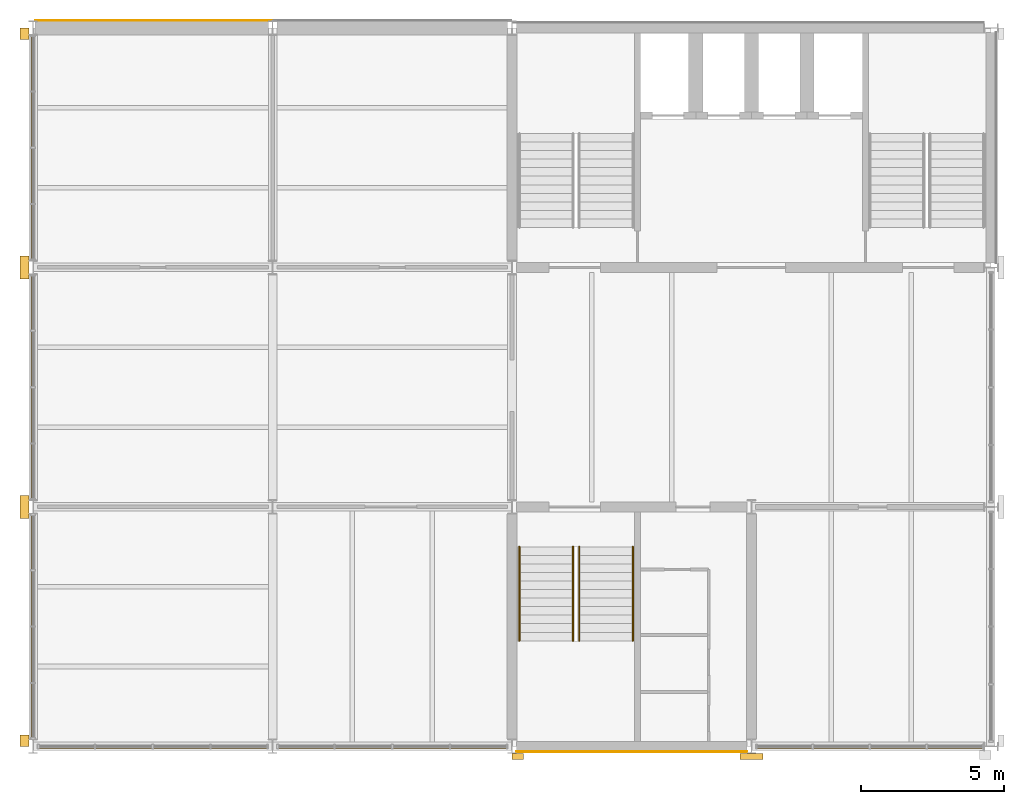
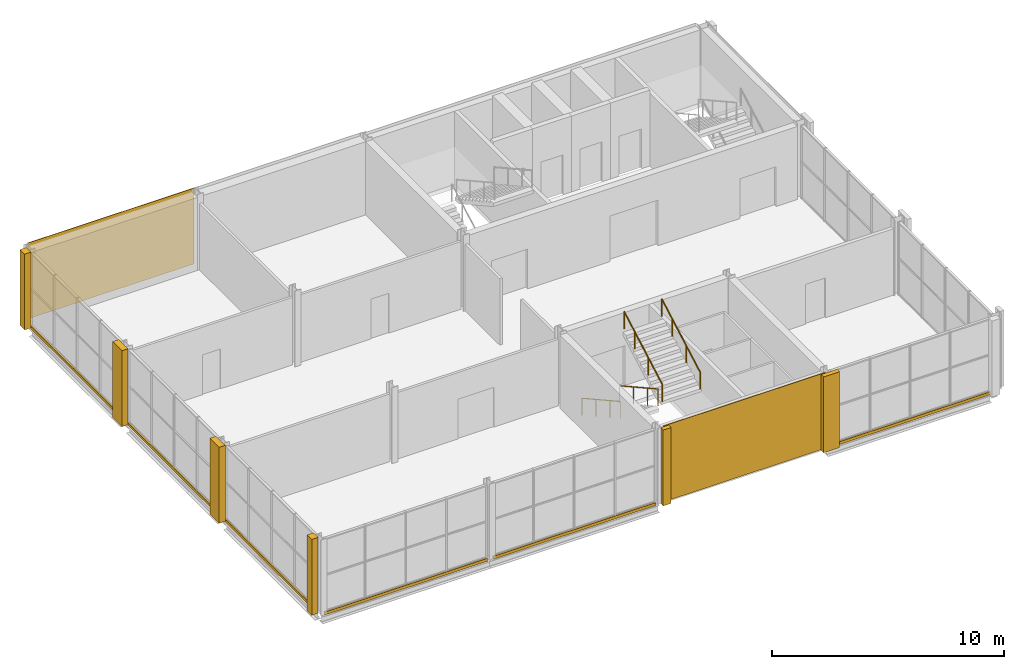
# One storey, part 10 of 12: 14 coverings, 4 railings.
"""IFC4 building model written with IfcOpenShell, lengths in metres."""

from ifc_helpers import new_model, si_unit, direction, frame, origin, origin_2d, place, context, subcontext, project, spatial, rectangle, circle, extrude, material, layer, layer_set, type_object, element, save


model = new_model("IFC4")

# Units and contexts
model_context = context("Model", 3, precision=1e-05, world=origin(), true_north=direction((0.0, 1.0)))
body_context = subcontext(model_context, "Body", "Model", "MODEL_VIEW")
ifc_project = project(units=[si_unit("LENGTHUNIT", "METRE"), si_unit("AREAUNIT", "SQUARE_METRE"), si_unit("VOLUMEUNIT", "CUBIC_METRE"), si_unit("PLANEANGLEUNIT", "RADIAN"), si_unit("MASSUNIT", "GRAM", prefix="KILO")], contexts=[model_context])

# Site, building, storey
site_placement = place(None, origin())
site = spatial("IfcSite", under=ifc_project, at=site_placement, CompositionType="ELEMENT")
building_placement = place(site_placement, origin())
building = spatial("IfcBuilding", under=site, at=building_placement, Name="Galleria Vessillo Department Store", CompositionType="ELEMENT")
storey_placement = place(building_placement, frame((0.0, 0.0, 39.60009765625)))
storey = spatial("IfcBuildingStorey", under=building, at=storey_placement, Name="L08", CompositionType="ELEMENT", Elevation=39.60009765625)

# Coverings
ifc_material_1 = material(Name="Lime plaster (intonaco) ochre")
ifc_layer_1 = layer(ifc_material_1, 0.030029296875)
ifc_layer_set_1 = layer_set([ifc_layer_1], Name="Lime plaster (intonaco) ochre")
covering_type_1 = type_object("IfcCoveringType", Name="Lime plaster render 30 mm", PredefinedType="CLADDING", material=ifc_layer_set_1)
covering_1_placement = place(storey_placement, frame((88.222412109375, 63.264892578125, 0.0), z_axis=(0.0, 0.0, 1.0), x_axis=(1.0, 0.0, 0.0)))
element("IfcCovering", 1, at=covering_1_placement, inside=storey, type_object=covering_type_1, Name="Wall cladding S-TN-L08-01", PredefinedType="CLADDING", context=body_context, shape_type="SweptSolid", body=[
    extrude(rectangle(XDim=8.295166015625, YDim=0.030029296875, at=origin_2d()), origin(), (0.0, 0.0, 1.0), 4.0),
])
ifc_material_2 = material(Name="Botticino limestone ashlar", Category="masonry")
ifc_layer_2 = layer(ifc_material_2, 0.14990234375)
ifc_layer_set_2 = layer_set([ifc_layer_2], Name="Botticino limestone ashlar")
covering_type_2 = type_object("IfcCoveringType", Name="Limestone slab-edge fascia 150 mm", PredefinedType="CLADDING", material=ifc_layer_set_2)
covering_2_placement = place(storey_placement, frame((83.9599609375, 42.0, -0.14990234375), z_axis=(0.0, 0.0, 1.0), x_axis=(1.0, 0.0, 0.0)))
element("IfcCovering", 2, at=covering_2_placement, inside=storey, type_object=covering_type_2, Name="Slab-edge fascia TW-L07-01", PredefinedType="CLADDING", context=body_context, shape_type="SweptSolid", body=[
    extrude(rectangle(XDim=0.080078125, YDim=7.89990234375, at=origin_2d()), origin(), (0.0, 0.0, 1.0), 0.14990234375),
])
covering_3_placement = place(storey_placement, frame((83.9599609375, 50.39990234375, -0.14990234375), z_axis=(0.0, 0.0, 1.0), x_axis=(1.0, 0.0, 0.0)))
element("IfcCovering", 3, at=covering_3_placement, inside=storey, type_object=covering_type_2, Name="Slab-edge fascia TW-L07-02", PredefinedType="CLADDING", context=body_context, shape_type="SweptSolid", body=[
    extrude(rectangle(XDim=0.080078125, YDim=7.900146484375, at=origin_2d()), origin(), (0.0, 0.0, 1.0), 0.14990234375),
])
covering_4_placement = place(storey_placement, frame((83.9599609375, 58.800048828125, -0.14990234375), z_axis=(0.0, 0.0, 1.0), x_axis=(1.0, 0.0, 0.0)))
element("IfcCovering", 4, at=covering_4_placement, inside=storey, type_object=covering_type_2, Name="Slab-edge fascia TW-L07-03", PredefinedType="CLADDING", context=body_context, shape_type="SweptSolid", body=[
    extrude(rectangle(XDim=0.080078125, YDim=7.89990234375, at=origin_2d()), origin(), (0.0, 0.0, 1.0), 0.14990234375),
])
covering_5_placement = place(storey_placement, frame((88.199951171875, 37.760009765625, -0.14990234375), z_axis=(0.0, 0.0, 1.0), x_axis=(1.0, 0.0, 0.0)))
element("IfcCovering", 5, at=covering_5_placement, inside=storey, type_object=covering_type_2, Name="Slab-edge fascia TS-L07-01", PredefinedType="CLADDING", context=body_context, shape_type="SweptSolid", body=[
    extrude(rectangle(XDim=8.099853515625, YDim=0.080078125, at=origin_2d()), origin(), (0.0, 0.0, 1.0), 0.14990234375),
])
covering_6_placement = place(storey_placement, frame((96.60009765625, 37.760009765625, -0.14990234375), z_axis=(0.0, 0.0, 1.0), x_axis=(1.0, 0.0, 0.0)))
element("IfcCovering", 6, at=covering_6_placement, inside=storey, type_object=covering_type_2, Name="Slab-edge fascia TS-L07-02", PredefinedType="CLADDING", context=body_context, shape_type="SweptSolid", body=[
    extrude(rectangle(XDim=8.10009765625, YDim=0.080078125, at=origin_2d()), origin(), (0.0, 0.0, 1.0), 0.14990234375),
])
covering_7_placement = place(storey_placement, frame((113.35009765625, 37.760009765625, -0.14990234375), z_axis=(0.0, 0.0, 1.0), x_axis=(1.0, 0.0, 0.0)))
element("IfcCovering", 7, at=covering_7_placement, inside=storey, type_object=covering_type_2, Name="Slab-edge fascia TS-L07-03", PredefinedType="CLADDING", context=body_context, shape_type="SweptSolid", body=[
    extrude(rectangle(XDim=8.000244140625, YDim=0.080078125, at=origin_2d()), origin(), (0.0, 0.0, 1.0), 0.14990234375),
])
ifc_material_3 = material(Name="Botticino limestone ashlar", Category="masonry")
ifc_layer_3 = layer(ifc_material_3, 0.31005859375)
ifc_layer_set_3 = layer_set([ifc_layer_3], Name="Botticino limestone ashlar")
covering_type_3 = type_object("IfcCoveringType", Name="Limestone tower pilaster strip", PredefinedType="CLADDING", material=ifc_layer_set_3)
covering_8_placement = place(storey_placement, frame((83.695068359375, 38.0, 0.0), z_axis=(0.0, 0.0, 1.0), x_axis=(1.0, 0.0, 0.0)))
element("IfcCovering", 8, at=covering_8_placement, inside=storey, type_object=covering_type_3, Name="Tower pilaster strip W L08 37.8", PredefinedType="CLADDING", context=body_context, shape_type="SweptSolid", body=[
    extrude(rectangle(XDim=0.31005859375, YDim=0.39990234375, at=origin_2d()), origin(), (0.0, 0.0, 1.0), 4.0),
])
for number, where, z_axis, x_axis, name in (
    (9, (83.695068359375, 46.199951171875, 0.0), (0.0, 0.0, 1.0), (1.0, 0.0, 0.0), "Tower pilaster strip W L08 46.2"),
    (10, (83.695068359375, 54.60009765625, 0.0), (0.0, 0.0, 1.0), (1.0, 0.0, 0.0), "Tower pilaster strip W L08 54.6"),
):
    element("IfcCovering", number, at=place(storey_placement, frame(where, z_axis=z_axis, x_axis=x_axis)), inside=storey, type_object=covering_type_3, Name=name, PredefinedType="CLADDING", context=body_context, shape_type="SweptSolid", body=[
        extrude(rectangle(XDim=0.31005859375, YDim=0.800048828125, at=origin_2d()), origin(), (0.0, 0.0, 1.0), 4.0),
    ])
covering_9_placement = place(storey_placement, frame((83.695068359375, 62.800048828125, 0.0), z_axis=(0.0, 0.0, 1.0), x_axis=(1.0, 0.0, 0.0)))
element("IfcCovering", 11, at=covering_9_placement, inside=storey, type_object=covering_type_3, Name="Tower pilaster strip W L08 63.0", PredefinedType="CLADDING", context=body_context, shape_type="SweptSolid", body=[
    extrude(rectangle(XDim=0.31005859375, YDim=0.39990234375, at=origin_2d()), origin(), (0.0, 0.0, 1.0), 4.0),
])
covering_10_placement = place(storey_placement, frame((101.0, 37.445068359375, 0.0), z_axis=(0.0, 0.0, 1.0), x_axis=(1.0, 0.0, 0.0)))
element("IfcCovering", 12, at=covering_10_placement, inside=storey, type_object=covering_type_3, Name="Tower pilaster strip S L08 100.8", PredefinedType="CLADDING", context=body_context, shape_type="SweptSolid", body=[
    extrude(rectangle(XDim=0.39990234375, YDim=0.2099609375, at=origin_2d()), origin(), (0.0, 0.0, 1.0), 4.0),
])
covering_11_placement = place(storey_placement, frame((109.199951171875, 37.445068359375, 0.0), z_axis=(0.0, 0.0, 1.0), x_axis=(1.0, 0.0, 0.0)))
element("IfcCovering", 13, at=covering_11_placement, inside=storey, type_object=covering_type_3, Name="Tower pilaster strip S L08 109.2", PredefinedType="CLADDING", context=body_context, shape_type="SweptSolid", body=[
    extrude(rectangle(XDim=0.800048828125, YDim=0.2099609375, at=origin_2d()), origin(), (0.0, 0.0, 1.0), 4.0),
])
ifc_material_4 = material(Name="Botticino limestone ashlar", Category="masonry")
ifc_layer_4 = layer(ifc_material_4, 0.030029296875)
ifc_layer_set_4 = layer_set([ifc_layer_4], Name="Botticino limestone ashlar")
covering_type_4 = type_object("IfcCoveringType", Name="Limestone wall cladding 30 mm", PredefinedType="CLADDING", material=ifc_layer_set_4)
covering_12_placement = place(storey_placement, frame((105.0, 37.610107421875, 0.0), z_axis=(0.0, 0.0, 1.0), x_axis=(1.0, 0.0, 0.0)))
element("IfcCovering", 14, at=covering_12_placement, inside=storey, type_object=covering_type_4, Name="Wall cladding S-CW-TS-PARTY-L08", PredefinedType="CLADDING", context=body_context, shape_type="SweptSolid", body=[
    extrude(rectangle(XDim=8.099853515625, YDim=0.030029296875, at=origin_2d()), origin(), (0.0, 0.0, 1.0), 4.0),
])

# Railings
ifc_material_5 = material(Name="Stainless steel tube", Category="steel")
railing_type = type_object("IfcRailingType", Name="Stair handrail steel tube 48 mm", PredefinedType="HANDRAIL", material=ifc_material_5)
for number, where, name in (
    (15, (102.93994140625, 44.800048828125, 0.166748046875), "Handrail ST12 L08 flight 1A"),
    (16, (101.06005859375, 44.800048828125, 0.166748046875), "Handrail ST12 L08 flight 1B"),
):
    element("IfcRailing", number, at=place(storey_placement, frame(where)), inside=storey, type_object=railing_type, Name=name, PredefinedType="HANDRAIL", context=body_context, shape_type="SweptSolid", body=[
        extrude(circle(Radius=0.02392578125, at=origin_2d()), frame((0.0, 0.0, 0.89599609375), z_axis=(0.0, -0.874199221805, 0.485567421267), x_axis=(1.0, 0.0, 0.0)), (0.0, 0.0, 1.0), 1.37255859375),
        extrude(circle(Radius=0.02392578125, at=origin_2d()), frame((0.0, -1.199951171875, 1.5625), z_axis=(0.0, -0.874123717778, 0.485703331282), x_axis=(1.0, 0.0, 0.0)), (0.0, 0.0, 1.0), 1.372802734375),
        extrude(circle(Radius=0.02392578125, at=origin_2d()), frame((0.0, -2.39990234375, 2.22900390625), z_axis=(0.0, -0.874190826042, 0.485582536407), x_axis=(1.0, 0.0, 0.0)), (0.0, 0.0, 1.0), 1.02978515625),
        extrude(circle(Radius=0.02099609375, at=origin_2d()), origin(), (0.0, 0.0, 1.0), 0.871826171875),
        extrude(circle(Radius=0.02099609375, at=origin_2d()), frame((0.0, -1.199951171875, 0.66650390625)), (0.0, 0.0, 1.0), 0.871826171875),
        extrude(circle(Radius=0.02099609375, at=origin_2d()), frame((0.0, -2.39990234375, 1.333251953125)), (0.0, 0.0, 1.0), 0.871826171875),
        extrude(circle(Radius=0.02099609375, at=origin_2d()), frame((0.0, -3.300048828125, 1.833251953125)), (0.0, 0.0, 1.0), 0.871826171875),
    ])
for number, where, name in (
    (17, (103.16015625, 41.5, 2.166748046875), "Handrail ST12 L08 flight 2A"),
    (18, (105.0400390625, 41.5, 2.166748046875), "Handrail ST12 L08 flight 2B"),
):
    element("IfcRailing", number, at=place(storey_placement, frame(where)), inside=storey, type_object=railing_type, Name=name, PredefinedType="HANDRAIL", context=body_context, shape_type="SweptSolid", body=[
        extrude(circle(Radius=0.02392578125, at=origin_2d()), frame((0.0, 0.0, 0.89599609375), z_axis=(0.0, 0.874199221805, 0.485567421267), x_axis=(-1.0, 0.0, 0.0)), (0.0, 0.0, 1.0), 1.37255859375),
        extrude(circle(Radius=0.02392578125, at=origin_2d()), frame((0.0, 1.199951171875, 1.5625), z_axis=(0.0, 0.874123717778, 0.485703331282), x_axis=(-1.0, 0.0, 0.0)), (0.0, 0.0, 1.0), 1.372802734375),
        extrude(circle(Radius=0.02392578125, at=origin_2d()), frame((0.0, 2.39990234375, 2.22900390625), z_axis=(0.0, 0.874190826042, 0.485582536407), x_axis=(-1.0, 0.0, 0.0)), (0.0, 0.0, 1.0), 1.02978515625),
        extrude(circle(Radius=0.02099609375, at=origin_2d()), origin(), (0.0, 0.0, 1.0), 0.871826171875),
        extrude(circle(Radius=0.02099609375, at=origin_2d()), frame((0.0, 1.199951171875, 0.66650390625)), (0.0, 0.0, 1.0), 0.871826171875),
        extrude(circle(Radius=0.02099609375, at=origin_2d()), frame((0.0, 2.39990234375, 1.333251953125)), (0.0, 0.0, 1.0), 0.871826171875),
        extrude(circle(Radius=0.02099609375, at=origin_2d()), frame((0.0, 3.300048828125, 1.833251953125)), (0.0, 0.0, 1.0), 0.871826171875),
    ])

save(model, "model.ifc")
